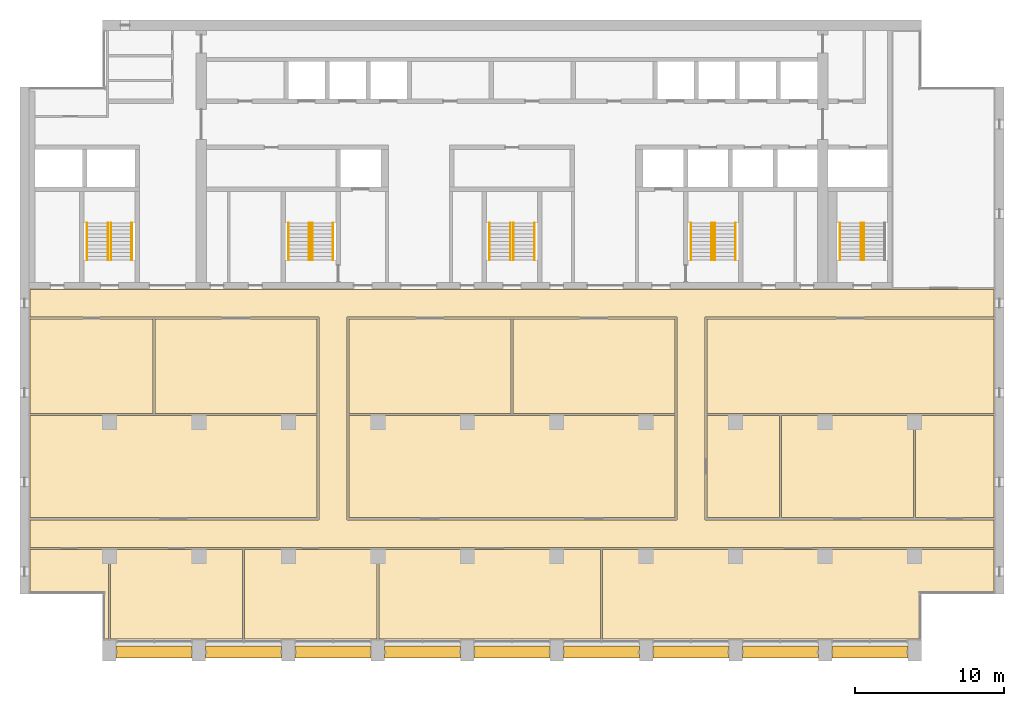
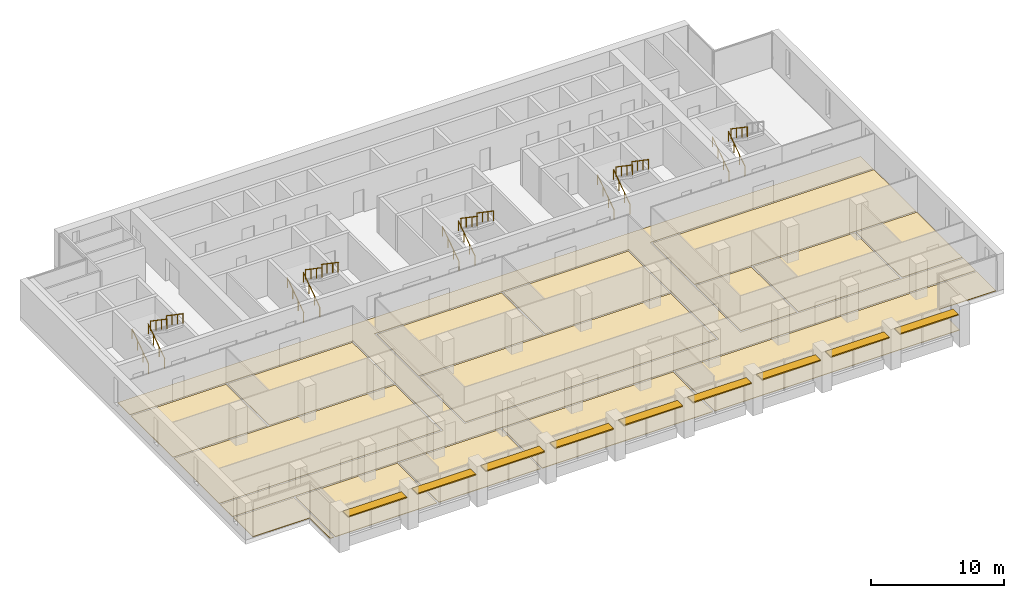
# One storey, part 16 of 17: 19 railings, 16 coverings, 9 shading devices, 5 elements without a shape of their own.
"""IFC4 building model written with IfcOpenShell, lengths in metres."""

from ifc_helpers import new_model, si_unit, direction, frame, origin, origin_2d, place, context, subcontext, project, spatial, polyline, rectangle, circle, outline, extrude, material, layer, layer_set, material_profile, profile_set, type_object, element, aggregate, save


model = new_model("IFC4")

# Units and contexts
model_context = context("Model", 3, precision=1e-05, world=origin(), true_north=direction((0.0, 1.0)))
body_context = subcontext(model_context, "Body", "Model", "MODEL_VIEW")
ifc_project = project(units=[si_unit("LENGTHUNIT", "METRE"), si_unit("AREAUNIT", "SQUARE_METRE"), si_unit("VOLUMEUNIT", "CUBIC_METRE"), si_unit("PLANEANGLEUNIT", "RADIAN"), si_unit("MASSUNIT", "GRAM", prefix="KILO")], contexts=[model_context])

# Site, building, storey
site_placement = place(None, origin())
site = spatial("IfcSite", under=ifc_project, at=site_placement, CompositionType="ELEMENT")
building_placement = place(site_placement, origin())
building = spatial("IfcBuilding", under=site, at=building_placement, Name="Calvaro Tower", CompositionType="ELEMENT")
storey_placement = place(building_placement, frame((0.0, 0.0, 219.25)))
storey = spatial("IfcBuildingStorey", under=building, at=storey_placement, Name="L55", CompositionType="ELEMENT", Elevation=219.25)

# Shading devices
ifc_material_1 = material(Name="Anodised aluminium", Category="aluminium")
ifc_material_profile = material_profile(ifc_material_1, rectangle(XDim=0.800048828125, YDim=0.10009765625, at=origin_2d()), Name="Brise-soleil blade 800 x 100")
ifc_profile_set = profile_set([ifc_material_profile], Name="Anodised aluminium")
shading_device_type = type_object("IfcShadingDeviceType", Name="Brise-soleil blade 800 x 100", PredefinedType="JALOUSIE", material=ifc_profile_set)
for number, where, z_axis, x_axis, name in (
    (1, (12.449951171875, 3.60009765625, 2.5), (1.0, 0.0, 0.0), (0.0, 1.0, 0.0), "Brise-soleil blade 1"),
    (2, (18.449951171875, 3.60009765625, 2.5), (1.0, 0.0, 0.0), (0.0, 1.0, 0.0), "Brise-soleil blade 2"),
    (3, (24.449951171875, 3.60009765625, 2.5), (1.0, 0.0, 0.0), (0.0, 1.0, 0.0), "Brise-soleil blade 3"),
    (4, (30.449951171875, 3.60009765625, 2.5), (1.0, 0.0, 0.0), (0.0, 1.0, 0.0), "Brise-soleil blade 4"),
    (5, (36.449951171875, 3.60009765625, 2.5), (1.0, 0.0, 0.0), (0.0, 1.0, 0.0), "Brise-soleil blade 5"),
    (6, (42.449951171875, 3.60009765625, 2.5), (1.0, 0.0, 0.0), (0.0, 1.0, 0.0), "Brise-soleil blade 6"),
    (7, (48.449951171875, 3.60009765625, 2.5), (1.0, 0.0, 0.0), (0.0, 1.0, 0.0), "Brise-soleil blade 7"),
    (8, (54.449951171875, 3.60009765625, 2.5), (1.0, 0.0, 0.0), (0.0, 1.0, 0.0), "Brise-soleil blade 8"),
    (9, (60.449951171875, 3.60009765625, 2.5), (1.0, 0.0, 0.0), (0.0, 1.0, 0.0), "Brise-soleil blade 9"),
):
    element("IfcShadingDevice", number, at=place(storey_placement, frame(where, z_axis=z_axis, x_axis=x_axis)), inside=storey, type_object=shading_device_type, Name=name, PredefinedType="JALOUSIE", context=body_context, shape_type="SweptSolid", body=[
        extrude(rectangle(XDim=0.800048828125, YDim=0.10009765625, at=origin_2d()), origin(), (0.0, 0.0, 1.0), 5.10009765625),
    ])

# Coverings
ifc_material_2 = material(Name="Cement screed with carpet tile finish")
ifc_layer = layer(ifc_material_2, 0.050048828125)
ifc_layer_set = layer_set([ifc_layer], Name="Cement screed with carpet tile finish")
covering_type = type_object("IfcCoveringType", Name="Floor finish 50", PredefinedType="FLOORING", material=ifc_layer_set)
covering_1_placement = place(storey_placement, origin())
element("IfcCovering", 10, at=covering_1_placement, inside=storey, type_object=covering_type, Name="Floor finish 31.01", PredefinedType="FLOORING", context=body_context, shape_type="SweptSolid", body=[
    extrude(outline(polyline([(6.669921875, 10.6201171875), (6.669921875, 12.47998046875), (26.070068359375, 12.47998046875), (26.070068359375, 26.070068359375), (6.669921875, 26.070068359375), (6.669921875, 27.929931640625), (71.330078125, 27.929931640625), (71.330078125, 26.070068359375), (51.929931640625, 26.070068359375), (51.929931640625, 12.47998046875), (71.330078125, 12.47998046875), (71.330078125, 10.6201171875), (6.669921875, 10.6201171875)]), holes=[polyline([(50.070068359375, 12.47998046875), (50.070068359375, 26.070068359375), (27.929931640625, 26.070068359375), (27.929931640625, 12.47998046875), (50.070068359375, 12.47998046875)])]), origin(), (0.0, 0.0, 1.0), 0.050048828125),
])
covering_2_placement = place(storey_placement, origin())
element("IfcCovering", 11, at=covering_2_placement, inside=storey, type_object=covering_type, Name="Floor finish 31.06", PredefinedType="FLOORING", context=body_context, shape_type="SweptSolid", body=[
    extrude(outline(polyline([(11.929931640625, 10.47998046875), (11.929931640625, 4.469970703125), (11.6201171875, 4.469970703125), (11.6201171875, 7.570068359375), (6.669921875, 7.570068359375), (6.669921875, 10.47998046875), (11.929931640625, 10.47998046875)])), origin(), (0.0, 0.0, 1.0), 0.050048828125),
])
covering_3_placement = place(storey_placement, origin())
element("IfcCovering", 12, at=covering_3_placement, inside=storey, type_object=covering_type, Name="Floor finish 31.02", PredefinedType="FLOORING", context=body_context, shape_type="SweptSolid", body=[
    extrude(outline(polyline([(12.070068359375, 10.47998046875), (20.929931640625, 10.47998046875), (20.929931640625, 4.469970703125), (12.070068359375, 4.469970703125), (12.070068359375, 10.47998046875)])), origin(), (0.0, 0.0, 1.0), 0.050048828125),
])
covering_4_placement = place(storey_placement, origin())
element("IfcCovering", 13, at=covering_4_placement, inside=storey, type_object=covering_type, Name="Floor finish 31.03", PredefinedType="FLOORING", context=body_context, shape_type="SweptSolid", body=[
    extrude(outline(polyline([(21.070068359375, 10.47998046875), (29.929931640625, 10.47998046875), (29.929931640625, 4.469970703125), (21.070068359375, 4.469970703125), (21.070068359375, 10.47998046875)])), origin(), (0.0, 0.0, 1.0), 0.050048828125),
])
covering_5_placement = place(storey_placement, origin())
element("IfcCovering", 14, at=covering_5_placement, inside=storey, type_object=covering_type, Name="Floor finish 31.04", PredefinedType="FLOORING", context=body_context, shape_type="SweptSolid", body=[
    extrude(outline(polyline([(30.070068359375, 10.47998046875), (44.929931640625, 10.47998046875), (44.929931640625, 4.469970703125), (30.070068359375, 4.469970703125), (30.070068359375, 10.47998046875)])), origin(), (0.0, 0.0, 1.0), 0.050048828125),
])
covering_6_placement = place(storey_placement, origin())
element("IfcCovering", 15, at=covering_6_placement, inside=storey, type_object=covering_type, Name="Floor finish 31.05", PredefinedType="FLOORING", context=body_context, shape_type="SweptSolid", body=[
    extrude(outline(polyline([(71.330078125, 7.570068359375), (66.3798828125, 7.570068359375), (66.3798828125, 4.469970703125), (45.070068359375, 4.469970703125), (45.070068359375, 10.47998046875), (71.330078125, 10.47998046875), (71.330078125, 7.570068359375)])), origin(), (0.0, 0.0, 1.0), 0.050048828125),
])
covering_7_placement = place(storey_placement, origin())
element("IfcCovering", 16, at=covering_7_placement, inside=storey, type_object=covering_type, Name="Floor finish 31.07", PredefinedType="FLOORING", context=body_context, shape_type="SweptSolid", body=[
    extrude(outline(polyline([(25.929931640625, 19.47998046875), (25.929931640625, 12.6201171875), (6.669921875, 12.6201171875), (6.669921875, 19.47998046875), (25.929931640625, 19.47998046875)])), origin(), (0.0, 0.0, 1.0), 0.050048828125),
])
covering_8_placement = place(storey_placement, origin())
element("IfcCovering", 17, at=covering_8_placement, inside=storey, type_object=covering_type, Name="Floor finish 31.12", PredefinedType="FLOORING", context=body_context, shape_type="SweptSolid", body=[
    extrude(outline(polyline([(14.929931640625, 25.929931640625), (14.929931640625, 19.6201171875), (6.669921875, 19.6201171875), (6.669921875, 25.929931640625), (14.929931640625, 25.929931640625)])), origin(), (0.0, 0.0, 1.0), 0.050048828125),
])
covering_9_placement = place(storey_placement, origin())
element("IfcCovering", 18, at=covering_9_placement, inside=storey, type_object=covering_type, Name="Floor finish 31.13", PredefinedType="FLOORING", context=body_context, shape_type="SweptSolid", body=[
    extrude(outline(polyline([(15.070068359375, 19.6201171875), (15.070068359375, 25.929931640625), (25.929931640625, 25.929931640625), (25.929931640625, 19.6201171875), (15.070068359375, 19.6201171875)])), origin(), (0.0, 0.0, 1.0), 0.050048828125),
])
covering_10_placement = place(storey_placement, origin())
element("IfcCovering", 19, at=covering_10_placement, inside=storey, type_object=covering_type, Name="Floor finish 31.08", PredefinedType="FLOORING", context=body_context, shape_type="SweptSolid", body=[
    extrude(outline(polyline([(28.070068359375, 12.6201171875), (28.070068359375, 19.47998046875), (49.929931640625, 19.47998046875), (49.929931640625, 12.6201171875), (28.070068359375, 12.6201171875)])), origin(), (0.0, 0.0, 1.0), 0.050048828125),
])
covering_11_placement = place(storey_placement, origin())
element("IfcCovering", 20, at=covering_11_placement, inside=storey, type_object=covering_type, Name="Floor finish 31.14", PredefinedType="FLOORING", context=body_context, shape_type="SweptSolid", body=[
    extrude(outline(polyline([(28.070068359375, 19.6201171875), (28.070068359375, 25.929931640625), (38.929931640625, 25.929931640625), (38.929931640625, 19.6201171875), (28.070068359375, 19.6201171875)])), origin(), (0.0, 0.0, 1.0), 0.050048828125),
])
covering_12_placement = place(storey_placement, origin())
element("IfcCovering", 21, at=covering_12_placement, inside=storey, type_object=covering_type, Name="Floor finish 31.15", PredefinedType="FLOORING", context=body_context, shape_type="SweptSolid", body=[
    extrude(outline(polyline([(39.070068359375, 19.6201171875), (39.070068359375, 25.929931640625), (49.929931640625, 25.929931640625), (49.929931640625, 19.6201171875), (39.070068359375, 19.6201171875)])), origin(), (0.0, 0.0, 1.0), 0.050048828125),
])
covering_13_placement = place(storey_placement, origin())
element("IfcCovering", 22, at=covering_13_placement, inside=storey, type_object=covering_type, Name="Floor finish 31.09", PredefinedType="FLOORING", context=body_context, shape_type="SweptSolid", body=[
    extrude(outline(polyline([(52.070068359375, 12.6201171875), (52.070068359375, 19.47998046875), (56.929931640625, 19.47998046875), (56.929931640625, 12.6201171875), (52.070068359375, 12.6201171875)])), origin(), (0.0, 0.0, 1.0), 0.050048828125),
])
covering_14_placement = place(storey_placement, origin())
element("IfcCovering", 23, at=covering_14_placement, inside=storey, type_object=covering_type, Name="Floor finish 31.10", PredefinedType="FLOORING", context=body_context, shape_type="SweptSolid", body=[
    extrude(outline(polyline([(57.070068359375, 12.6201171875), (57.070068359375, 19.47998046875), (65.929931640625, 19.47998046875), (65.929931640625, 12.6201171875), (57.070068359375, 12.6201171875)])), origin(), (0.0, 0.0, 1.0), 0.050048828125),
])
covering_15_placement = place(storey_placement, origin())
element("IfcCovering", 24, at=covering_15_placement, inside=storey, type_object=covering_type, Name="Floor finish 31.11", PredefinedType="FLOORING", context=body_context, shape_type="SweptSolid", body=[
    extrude(outline(polyline([(71.330078125, 12.6201171875), (66.070068359375, 12.6201171875), (66.070068359375, 19.47998046875), (71.330078125, 19.47998046875), (71.330078125, 12.6201171875)])), origin(), (0.0, 0.0, 1.0), 0.050048828125),
])
covering_16_placement = place(storey_placement, origin())
element("IfcCovering", 25, at=covering_16_placement, inside=storey, type_object=covering_type, Name="Floor finish 31.16", PredefinedType="FLOORING", context=body_context, shape_type="SweptSolid", body=[
    extrude(outline(polyline([(71.330078125, 19.6201171875), (52.070068359375, 19.6201171875), (52.070068359375, 25.929931640625), (71.330078125, 25.929931640625), (71.330078125, 19.6201171875)])), origin(), (0.0, 0.0, 1.0), 0.050048828125),
])

# Stair, railings
ifc_material_3 = material(Name="Concrete C40/50", Category="concrete")
stair_type = type_object("IfcStairType", Name="Exit stair 1400 2 flights", PredefinedType="HALF_TURN_STAIR", material=ifc_material_3)
stair_1_placement = place(storey_placement, origin())
stair_1 = element("IfcStair", 26, at=stair_1_placement, inside=storey, type_object=stair_type, Name="Exit stair S1", PredefinedType="HALF_TURN_STAIR")
ifc_material_4 = material(Name="Stainless steel", Category="steel")
railing_type = type_object("IfcRailingType", Name="Stair handrail", PredefinedType="HANDRAIL", material=ifc_material_4)
railing_1_placement = place(storey_placement, frame((11.89990234375, 29.89990234375, 0.17041015625)))
railing_1 = element("IfcRailing", 27, at=railing_1_placement, type_object=railing_type, Name="Exit stair 1 handrail", PredefinedType="HANDRAIL", context=body_context, shape_type="SweptSolid", body=[
    extrude(circle(Radius=0.02392578125, at=origin_2d()), frame((0.0, 0.0, 0.8759765625), z_axis=(0.0, 0.826220514629, 0.563346839174), x_axis=(-1.0, 0.0, 0.0)), (0.0, 0.0, 1.0), 3.02587890625),
    extrude(circle(Radius=0.02099609375, at=origin_2d()), frame((0.0, 0.017333984375, 0.01171875)), (0.0, 0.0, 1.0), 0.851806640625),
    extrude(circle(Radius=0.02099609375, at=origin_2d()), frame((0.0, 0.833251953125, 0.568115234375)), (0.0, 0.0, 1.0), 0.851806640625),
    extrude(circle(Radius=0.02099609375, at=origin_2d()), frame((0.0, 1.666748046875, 1.136474609375)), (0.0, 0.0, 1.0), 0.851806640625),
    extrude(circle(Radius=0.02099609375, at=origin_2d()), frame((0.0, 2.482666015625, 1.69287109375)), (0.0, 0.0, 1.0), 0.851806640625),
])
railing_2_placement = place(storey_placement, frame((10.5, 29.89990234375, 0.17041015625)))
railing_2 = element("IfcRailing", 28, at=railing_2_placement, type_object=railing_type, Name="Exit stair 1 handrail", PredefinedType="HANDRAIL", context=body_context, shape_type="SweptSolid", body=[
    extrude(circle(Radius=0.02392578125, at=origin_2d()), frame((0.0, 0.0, 0.8759765625), z_axis=(0.0, 0.826220514629, 0.563346839174), x_axis=(-1.0, 0.0, 0.0)), (0.0, 0.0, 1.0), 3.02587890625),
    extrude(circle(Radius=0.02099609375, at=origin_2d()), frame((0.0, 0.017333984375, 0.01171875)), (0.0, 0.0, 1.0), 0.851806640625),
    extrude(circle(Radius=0.02099609375, at=origin_2d()), frame((0.0, 0.833251953125, 0.568115234375)), (0.0, 0.0, 1.0), 0.851806640625),
    extrude(circle(Radius=0.02099609375, at=origin_2d()), frame((0.0, 1.666748046875, 1.136474609375)), (0.0, 0.0, 1.0), 0.851806640625),
    extrude(circle(Radius=0.02099609375, at=origin_2d()), frame((0.0, 2.482666015625, 1.69287109375)), (0.0, 0.0, 1.0), 0.851806640625),
])
railing_3_placement = place(storey_placement, frame((12.10009765625, 32.39990234375, 2.04541015625)))
railing_3 = element("IfcRailing", 29, at=railing_3_placement, type_object=railing_type, Name="Exit stair 1 handrail", PredefinedType="HANDRAIL", context=body_context, shape_type="SweptSolid", body=[
    extrude(circle(Radius=0.02392578125, at=origin_2d()), frame((0.0, 0.0, 0.8759765625), z_axis=(0.0, -0.826220514629, 0.563346839174), x_axis=(1.0, 0.0, 0.0)), (0.0, 0.0, 1.0), 3.02587890625),
    extrude(circle(Radius=0.02099609375, at=origin_2d()), frame((0.0, -0.017333984375, 0.01171875)), (0.0, 0.0, 1.0), 0.851806640625),
    extrude(circle(Radius=0.02099609375, at=origin_2d()), frame((0.0, -0.833251953125, 0.568115234375)), (0.0, 0.0, 1.0), 0.851806640625),
    extrude(circle(Radius=0.02099609375, at=origin_2d()), frame((0.0, -1.666748046875, 1.136474609375)), (0.0, 0.0, 1.0), 0.851806640625),
    extrude(circle(Radius=0.02099609375, at=origin_2d()), frame((0.0, -2.482666015625, 1.69287109375)), (0.0, 0.0, 1.0), 0.851806640625),
])
railing_4_placement = place(storey_placement, frame((13.5, 32.39990234375, 2.04541015625)))
railing_4 = element("IfcRailing", 30, at=railing_4_placement, type_object=railing_type, Name="Exit stair 1 handrail", PredefinedType="HANDRAIL", context=body_context, shape_type="SweptSolid", body=[
    extrude(circle(Radius=0.02392578125, at=origin_2d()), frame((0.0, 0.0, 0.8759765625), z_axis=(0.0, -0.826220514629, 0.563346839174), x_axis=(1.0, 0.0, 0.0)), (0.0, 0.0, 1.0), 3.02587890625),
    extrude(circle(Radius=0.02099609375, at=origin_2d()), frame((0.0, -0.017333984375, 0.01171875)), (0.0, 0.0, 1.0), 0.851806640625),
    extrude(circle(Radius=0.02099609375, at=origin_2d()), frame((0.0, -0.833251953125, 0.568115234375)), (0.0, 0.0, 1.0), 0.851806640625),
    extrude(circle(Radius=0.02099609375, at=origin_2d()), frame((0.0, -1.666748046875, 1.136474609375)), (0.0, 0.0, 1.0), 0.851806640625),
    extrude(circle(Radius=0.02099609375, at=origin_2d()), frame((0.0, -2.482666015625, 1.69287109375)), (0.0, 0.0, 1.0), 0.851806640625),
])
aggregate(stair_1, [railing_1, railing_2, railing_3, railing_4])

stair_2_placement = place(storey_placement, origin())
stair_2 = element("IfcStair", 31, at=stair_2_placement, inside=storey, type_object=stair_type, Name="Exit stair S2", PredefinedType="HALF_TURN_STAIR")
railing_5_placement = place(storey_placement, frame((25.39990234375, 29.89990234375, 0.17041015625)))
railing_5 = element("IfcRailing", 32, at=railing_5_placement, type_object=railing_type, Name="Exit stair 2 handrail", PredefinedType="HANDRAIL", context=body_context, shape_type="SweptSolid", body=[
    extrude(circle(Radius=0.02392578125, at=origin_2d()), frame((0.0, 0.0, 0.8759765625), z_axis=(0.0, 0.826220514629, 0.563346839174), x_axis=(-1.0, 0.0, 0.0)), (0.0, 0.0, 1.0), 3.02587890625),
    extrude(circle(Radius=0.02099609375, at=origin_2d()), frame((0.0, 0.017333984375, 0.01171875)), (0.0, 0.0, 1.0), 0.851806640625),
    extrude(circle(Radius=0.02099609375, at=origin_2d()), frame((0.0, 0.833251953125, 0.568115234375)), (0.0, 0.0, 1.0), 0.851806640625),
    extrude(circle(Radius=0.02099609375, at=origin_2d()), frame((0.0, 1.666748046875, 1.136474609375)), (0.0, 0.0, 1.0), 0.851806640625),
    extrude(circle(Radius=0.02099609375, at=origin_2d()), frame((0.0, 2.482666015625, 1.69287109375)), (0.0, 0.0, 1.0), 0.851806640625),
])
railing_6_placement = place(storey_placement, frame((24.0, 29.89990234375, 0.17041015625)))
railing_6 = element("IfcRailing", 33, at=railing_6_placement, type_object=railing_type, Name="Exit stair 2 handrail", PredefinedType="HANDRAIL", context=body_context, shape_type="SweptSolid", body=[
    extrude(circle(Radius=0.02392578125, at=origin_2d()), frame((0.0, 0.0, 0.8759765625), z_axis=(0.0, 0.826220514629, 0.563346839174), x_axis=(-1.0, 0.0, 0.0)), (0.0, 0.0, 1.0), 3.02587890625),
    extrude(circle(Radius=0.02099609375, at=origin_2d()), frame((0.0, 0.017333984375, 0.01171875)), (0.0, 0.0, 1.0), 0.851806640625),
    extrude(circle(Radius=0.02099609375, at=origin_2d()), frame((0.0, 0.833251953125, 0.568115234375)), (0.0, 0.0, 1.0), 0.851806640625),
    extrude(circle(Radius=0.02099609375, at=origin_2d()), frame((0.0, 1.666748046875, 1.136474609375)), (0.0, 0.0, 1.0), 0.851806640625),
    extrude(circle(Radius=0.02099609375, at=origin_2d()), frame((0.0, 2.482666015625, 1.69287109375)), (0.0, 0.0, 1.0), 0.851806640625),
])
railing_7_placement = place(storey_placement, frame((25.60009765625, 32.39990234375, 2.04541015625)))
railing_7 = element("IfcRailing", 34, at=railing_7_placement, type_object=railing_type, Name="Exit stair 2 handrail", PredefinedType="HANDRAIL", context=body_context, shape_type="SweptSolid", body=[
    extrude(circle(Radius=0.02392578125, at=origin_2d()), frame((0.0, 0.0, 0.8759765625), z_axis=(0.0, -0.826220514629, 0.563346839174), x_axis=(1.0, 0.0, 0.0)), (0.0, 0.0, 1.0), 3.02587890625),
    extrude(circle(Radius=0.02099609375, at=origin_2d()), frame((0.0, -0.017333984375, 0.01171875)), (0.0, 0.0, 1.0), 0.851806640625),
    extrude(circle(Radius=0.02099609375, at=origin_2d()), frame((0.0, -0.833251953125, 0.568115234375)), (0.0, 0.0, 1.0), 0.851806640625),
    extrude(circle(Radius=0.02099609375, at=origin_2d()), frame((0.0, -1.666748046875, 1.136474609375)), (0.0, 0.0, 1.0), 0.851806640625),
    extrude(circle(Radius=0.02099609375, at=origin_2d()), frame((0.0, -2.482666015625, 1.69287109375)), (0.0, 0.0, 1.0), 0.851806640625),
])
railing_8_placement = place(storey_placement, frame((27.0, 32.39990234375, 2.04541015625)))
railing_8 = element("IfcRailing", 35, at=railing_8_placement, type_object=railing_type, Name="Exit stair 2 handrail", PredefinedType="HANDRAIL", context=body_context, shape_type="SweptSolid", body=[
    extrude(circle(Radius=0.02392578125, at=origin_2d()), frame((0.0, 0.0, 0.8759765625), z_axis=(0.0, -0.826220514629, 0.563346839174), x_axis=(1.0, 0.0, 0.0)), (0.0, 0.0, 1.0), 3.02587890625),
    extrude(circle(Radius=0.02099609375, at=origin_2d()), frame((0.0, -0.017333984375, 0.01171875)), (0.0, 0.0, 1.0), 0.851806640625),
    extrude(circle(Radius=0.02099609375, at=origin_2d()), frame((0.0, -0.833251953125, 0.568115234375)), (0.0, 0.0, 1.0), 0.851806640625),
    extrude(circle(Radius=0.02099609375, at=origin_2d()), frame((0.0, -1.666748046875, 1.136474609375)), (0.0, 0.0, 1.0), 0.851806640625),
    extrude(circle(Radius=0.02099609375, at=origin_2d()), frame((0.0, -2.482666015625, 1.69287109375)), (0.0, 0.0, 1.0), 0.851806640625),
])
aggregate(stair_2, [railing_5, railing_6, railing_7, railing_8])

stair_3_placement = place(storey_placement, origin())
stair_3 = element("IfcStair", 36, at=stair_3_placement, inside=storey, type_object=stair_type, Name="Exit stair S3", PredefinedType="HALF_TURN_STAIR")
railing_9_placement = place(storey_placement, frame((38.89990234375, 29.89990234375, 0.17041015625)))
railing_9 = element("IfcRailing", 37, at=railing_9_placement, type_object=railing_type, Name="Exit stair 3 handrail", PredefinedType="HANDRAIL", context=body_context, shape_type="SweptSolid", body=[
    extrude(circle(Radius=0.02392578125, at=origin_2d()), frame((0.0, 0.0, 0.8759765625), z_axis=(0.0, 0.826220514629, 0.563346839174), x_axis=(-1.0, 0.0, 0.0)), (0.0, 0.0, 1.0), 3.02587890625),
    extrude(circle(Radius=0.02099609375, at=origin_2d()), frame((0.0, 0.017333984375, 0.01171875)), (0.0, 0.0, 1.0), 0.851806640625),
    extrude(circle(Radius=0.02099609375, at=origin_2d()), frame((0.0, 0.833251953125, 0.568115234375)), (0.0, 0.0, 1.0), 0.851806640625),
    extrude(circle(Radius=0.02099609375, at=origin_2d()), frame((0.0, 1.666748046875, 1.136474609375)), (0.0, 0.0, 1.0), 0.851806640625),
    extrude(circle(Radius=0.02099609375, at=origin_2d()), frame((0.0, 2.482666015625, 1.69287109375)), (0.0, 0.0, 1.0), 0.851806640625),
])
railing_10_placement = place(storey_placement, frame((37.5, 29.89990234375, 0.17041015625)))
railing_10 = element("IfcRailing", 38, at=railing_10_placement, type_object=railing_type, Name="Exit stair 3 handrail", PredefinedType="HANDRAIL", context=body_context, shape_type="SweptSolid", body=[
    extrude(circle(Radius=0.02392578125, at=origin_2d()), frame((0.0, 0.0, 0.8759765625), z_axis=(0.0, 0.826220514629, 0.563346839174), x_axis=(-1.0, 0.0, 0.0)), (0.0, 0.0, 1.0), 3.02587890625),
    extrude(circle(Radius=0.02099609375, at=origin_2d()), frame((0.0, 0.017333984375, 0.01171875)), (0.0, 0.0, 1.0), 0.851806640625),
    extrude(circle(Radius=0.02099609375, at=origin_2d()), frame((0.0, 0.833251953125, 0.568115234375)), (0.0, 0.0, 1.0), 0.851806640625),
    extrude(circle(Radius=0.02099609375, at=origin_2d()), frame((0.0, 1.666748046875, 1.136474609375)), (0.0, 0.0, 1.0), 0.851806640625),
    extrude(circle(Radius=0.02099609375, at=origin_2d()), frame((0.0, 2.482666015625, 1.69287109375)), (0.0, 0.0, 1.0), 0.851806640625),
])
railing_11_placement = place(storey_placement, frame((39.10009765625, 32.39990234375, 2.04541015625)))
railing_11 = element("IfcRailing", 39, at=railing_11_placement, type_object=railing_type, Name="Exit stair 3 handrail", PredefinedType="HANDRAIL", context=body_context, shape_type="SweptSolid", body=[
    extrude(circle(Radius=0.02392578125, at=origin_2d()), frame((0.0, 0.0, 0.8759765625), z_axis=(0.0, -0.826220514629, 0.563346839174), x_axis=(1.0, 0.0, 0.0)), (0.0, 0.0, 1.0), 3.02587890625),
    extrude(circle(Radius=0.02099609375, at=origin_2d()), frame((0.0, -0.017333984375, 0.01171875)), (0.0, 0.0, 1.0), 0.851806640625),
    extrude(circle(Radius=0.02099609375, at=origin_2d()), frame((0.0, -0.833251953125, 0.568115234375)), (0.0, 0.0, 1.0), 0.851806640625),
    extrude(circle(Radius=0.02099609375, at=origin_2d()), frame((0.0, -1.666748046875, 1.136474609375)), (0.0, 0.0, 1.0), 0.851806640625),
    extrude(circle(Radius=0.02099609375, at=origin_2d()), frame((0.0, -2.482666015625, 1.69287109375)), (0.0, 0.0, 1.0), 0.851806640625),
])
railing_12_placement = place(storey_placement, frame((40.5, 32.39990234375, 2.04541015625)))
railing_12 = element("IfcRailing", 40, at=railing_12_placement, type_object=railing_type, Name="Exit stair 3 handrail", PredefinedType="HANDRAIL", context=body_context, shape_type="SweptSolid", body=[
    extrude(circle(Radius=0.02392578125, at=origin_2d()), frame((0.0, 0.0, 0.8759765625), z_axis=(0.0, -0.826220514629, 0.563346839174), x_axis=(1.0, 0.0, 0.0)), (0.0, 0.0, 1.0), 3.02587890625),
    extrude(circle(Radius=0.02099609375, at=origin_2d()), frame((0.0, -0.017333984375, 0.01171875)), (0.0, 0.0, 1.0), 0.851806640625),
    extrude(circle(Radius=0.02099609375, at=origin_2d()), frame((0.0, -0.833251953125, 0.568115234375)), (0.0, 0.0, 1.0), 0.851806640625),
    extrude(circle(Radius=0.02099609375, at=origin_2d()), frame((0.0, -1.666748046875, 1.136474609375)), (0.0, 0.0, 1.0), 0.851806640625),
    extrude(circle(Radius=0.02099609375, at=origin_2d()), frame((0.0, -2.482666015625, 1.69287109375)), (0.0, 0.0, 1.0), 0.851806640625),
])
aggregate(stair_3, [railing_9, railing_10, railing_11, railing_12])

stair_4_placement = place(storey_placement, origin())
stair_4 = element("IfcStair", 41, at=stair_4_placement, inside=storey, type_object=stair_type, Name="Exit stair S4", PredefinedType="HALF_TURN_STAIR")
railing_13_placement = place(storey_placement, frame((52.39990234375, 29.89990234375, 0.17041015625)))
railing_13 = element("IfcRailing", 42, at=railing_13_placement, type_object=railing_type, Name="Exit stair 4 handrail", PredefinedType="HANDRAIL", context=body_context, shape_type="SweptSolid", body=[
    extrude(circle(Radius=0.02392578125, at=origin_2d()), frame((0.0, 0.0, 0.8759765625), z_axis=(0.0, 0.826220514629, 0.563346839174), x_axis=(-1.0, 0.0, 0.0)), (0.0, 0.0, 1.0), 3.02587890625),
    extrude(circle(Radius=0.02099609375, at=origin_2d()), frame((0.0, 0.017333984375, 0.01171875)), (0.0, 0.0, 1.0), 0.851806640625),
    extrude(circle(Radius=0.02099609375, at=origin_2d()), frame((0.0, 0.833251953125, 0.568115234375)), (0.0, 0.0, 1.0), 0.851806640625),
    extrude(circle(Radius=0.02099609375, at=origin_2d()), frame((0.0, 1.666748046875, 1.136474609375)), (0.0, 0.0, 1.0), 0.851806640625),
    extrude(circle(Radius=0.02099609375, at=origin_2d()), frame((0.0, 2.482666015625, 1.69287109375)), (0.0, 0.0, 1.0), 0.851806640625),
])
railing_14_placement = place(storey_placement, frame((51.0, 29.89990234375, 0.17041015625)))
railing_14 = element("IfcRailing", 43, at=railing_14_placement, type_object=railing_type, Name="Exit stair 4 handrail", PredefinedType="HANDRAIL", context=body_context, shape_type="SweptSolid", body=[
    extrude(circle(Radius=0.02392578125, at=origin_2d()), frame((0.0, 0.0, 0.8759765625), z_axis=(0.0, 0.826220514629, 0.563346839174), x_axis=(-1.0, 0.0, 0.0)), (0.0, 0.0, 1.0), 3.02587890625),
    extrude(circle(Radius=0.02099609375, at=origin_2d()), frame((0.0, 0.017333984375, 0.01171875)), (0.0, 0.0, 1.0), 0.851806640625),
    extrude(circle(Radius=0.02099609375, at=origin_2d()), frame((0.0, 0.833251953125, 0.568115234375)), (0.0, 0.0, 1.0), 0.851806640625),
    extrude(circle(Radius=0.02099609375, at=origin_2d()), frame((0.0, 1.666748046875, 1.136474609375)), (0.0, 0.0, 1.0), 0.851806640625),
    extrude(circle(Radius=0.02099609375, at=origin_2d()), frame((0.0, 2.482666015625, 1.69287109375)), (0.0, 0.0, 1.0), 0.851806640625),
])
railing_15_placement = place(storey_placement, frame((52.60009765625, 32.39990234375, 2.04541015625)))
railing_15 = element("IfcRailing", 44, at=railing_15_placement, type_object=railing_type, Name="Exit stair 4 handrail", PredefinedType="HANDRAIL", context=body_context, shape_type="SweptSolid", body=[
    extrude(circle(Radius=0.02392578125, at=origin_2d()), frame((0.0, 0.0, 0.8759765625), z_axis=(0.0, -0.826220514629, 0.563346839174), x_axis=(1.0, 0.0, 0.0)), (0.0, 0.0, 1.0), 3.02587890625),
    extrude(circle(Radius=0.02099609375, at=origin_2d()), frame((0.0, -0.017333984375, 0.01171875)), (0.0, 0.0, 1.0), 0.851806640625),
    extrude(circle(Radius=0.02099609375, at=origin_2d()), frame((0.0, -0.833251953125, 0.568115234375)), (0.0, 0.0, 1.0), 0.851806640625),
    extrude(circle(Radius=0.02099609375, at=origin_2d()), frame((0.0, -1.666748046875, 1.136474609375)), (0.0, 0.0, 1.0), 0.851806640625),
    extrude(circle(Radius=0.02099609375, at=origin_2d()), frame((0.0, -2.482666015625, 1.69287109375)), (0.0, 0.0, 1.0), 0.851806640625),
])
railing_16_placement = place(storey_placement, frame((54.0, 32.39990234375, 2.04541015625)))
railing_16 = element("IfcRailing", 45, at=railing_16_placement, type_object=railing_type, Name="Exit stair 4 handrail", PredefinedType="HANDRAIL", context=body_context, shape_type="SweptSolid", body=[
    extrude(circle(Radius=0.02392578125, at=origin_2d()), frame((0.0, 0.0, 0.8759765625), z_axis=(0.0, -0.826220514629, 0.563346839174), x_axis=(1.0, 0.0, 0.0)), (0.0, 0.0, 1.0), 3.02587890625),
    extrude(circle(Radius=0.02099609375, at=origin_2d()), frame((0.0, -0.017333984375, 0.01171875)), (0.0, 0.0, 1.0), 0.851806640625),
    extrude(circle(Radius=0.02099609375, at=origin_2d()), frame((0.0, -0.833251953125, 0.568115234375)), (0.0, 0.0, 1.0), 0.851806640625),
    extrude(circle(Radius=0.02099609375, at=origin_2d()), frame((0.0, -1.666748046875, 1.136474609375)), (0.0, 0.0, 1.0), 0.851806640625),
    extrude(circle(Radius=0.02099609375, at=origin_2d()), frame((0.0, -2.482666015625, 1.69287109375)), (0.0, 0.0, 1.0), 0.851806640625),
])
aggregate(stair_4, [railing_13, railing_14, railing_15, railing_16])

stair_5_placement = place(storey_placement, origin())
stair_5 = element("IfcStair", 46, at=stair_5_placement, inside=storey, type_object=stair_type, Name="Exit stair S5", PredefinedType="HALF_TURN_STAIR")
railing_17_placement = place(storey_placement, frame((62.39990234375, 29.89990234375, 0.17041015625)))
railing_17 = element("IfcRailing", 47, at=railing_17_placement, type_object=railing_type, Name="Exit stair 5 handrail", PredefinedType="HANDRAIL", context=body_context, shape_type="SweptSolid", body=[
    extrude(circle(Radius=0.02392578125, at=origin_2d()), frame((0.0, 0.0, 0.8759765625), z_axis=(0.0, 0.826220514629, 0.563346839174), x_axis=(-1.0, 0.0, 0.0)), (0.0, 0.0, 1.0), 3.02587890625),
    extrude(circle(Radius=0.02099609375, at=origin_2d()), frame((0.0, 0.017333984375, 0.01171875)), (0.0, 0.0, 1.0), 0.851806640625),
    extrude(circle(Radius=0.02099609375, at=origin_2d()), frame((0.0, 0.833251953125, 0.568115234375)), (0.0, 0.0, 1.0), 0.851806640625),
    extrude(circle(Radius=0.02099609375, at=origin_2d()), frame((0.0, 1.666748046875, 1.136474609375)), (0.0, 0.0, 1.0), 0.851806640625),
    extrude(circle(Radius=0.02099609375, at=origin_2d()), frame((0.0, 2.482666015625, 1.69287109375)), (0.0, 0.0, 1.0), 0.851806640625),
])
railing_18_placement = place(storey_placement, frame((61.0, 29.89990234375, 0.17041015625)))
railing_18 = element("IfcRailing", 48, at=railing_18_placement, type_object=railing_type, Name="Exit stair 5 handrail", PredefinedType="HANDRAIL", context=body_context, shape_type="SweptSolid", body=[
    extrude(circle(Radius=0.02392578125, at=origin_2d()), frame((0.0, 0.0, 0.8759765625), z_axis=(0.0, 0.826220514629, 0.563346839174), x_axis=(-1.0, 0.0, 0.0)), (0.0, 0.0, 1.0), 3.02587890625),
    extrude(circle(Radius=0.02099609375, at=origin_2d()), frame((0.0, 0.017333984375, 0.01171875)), (0.0, 0.0, 1.0), 0.851806640625),
    extrude(circle(Radius=0.02099609375, at=origin_2d()), frame((0.0, 0.833251953125, 0.568115234375)), (0.0, 0.0, 1.0), 0.851806640625),
    extrude(circle(Radius=0.02099609375, at=origin_2d()), frame((0.0, 1.666748046875, 1.136474609375)), (0.0, 0.0, 1.0), 0.851806640625),
    extrude(circle(Radius=0.02099609375, at=origin_2d()), frame((0.0, 2.482666015625, 1.69287109375)), (0.0, 0.0, 1.0), 0.851806640625),
])
railing_19_placement = place(storey_placement, frame((62.60009765625, 32.39990234375, 2.04541015625)))
railing_19 = element("IfcRailing", 49, at=railing_19_placement, type_object=railing_type, Name="Exit stair 5 handrail", PredefinedType="HANDRAIL", context=body_context, shape_type="SweptSolid", body=[
    extrude(circle(Radius=0.02392578125, at=origin_2d()), frame((0.0, 0.0, 0.8759765625), z_axis=(0.0, -0.826220514629, 0.563346839174), x_axis=(1.0, 0.0, 0.0)), (0.0, 0.0, 1.0), 3.02587890625),
    extrude(circle(Radius=0.02099609375, at=origin_2d()), frame((0.0, -0.017333984375, 0.01171875)), (0.0, 0.0, 1.0), 0.851806640625),
    extrude(circle(Radius=0.02099609375, at=origin_2d()), frame((0.0, -0.833251953125, 0.568115234375)), (0.0, 0.0, 1.0), 0.851806640625),
    extrude(circle(Radius=0.02099609375, at=origin_2d()), frame((0.0, -1.666748046875, 1.136474609375)), (0.0, 0.0, 1.0), 0.851806640625),
    extrude(circle(Radius=0.02099609375, at=origin_2d()), frame((0.0, -2.482666015625, 1.69287109375)), (0.0, 0.0, 1.0), 0.851806640625),
])
aggregate(stair_5, [railing_17, railing_18, railing_19])

save(model, "model.ifc")
